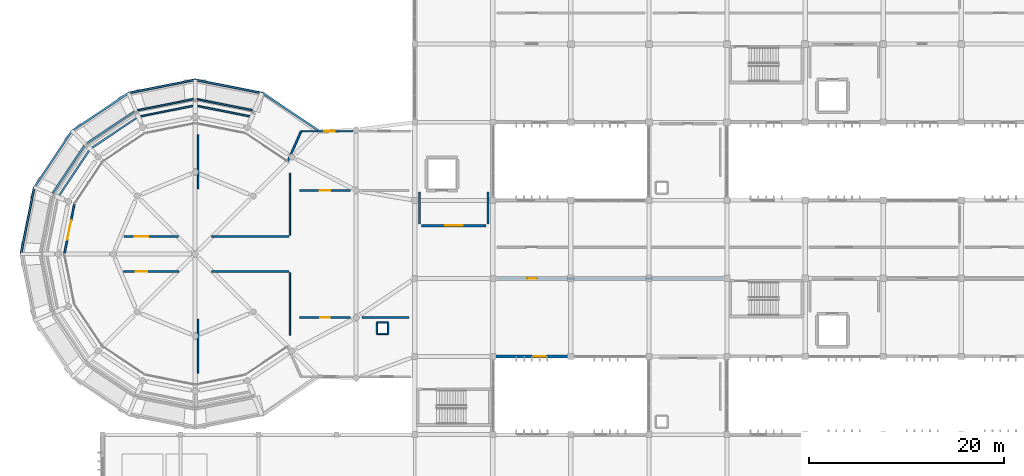
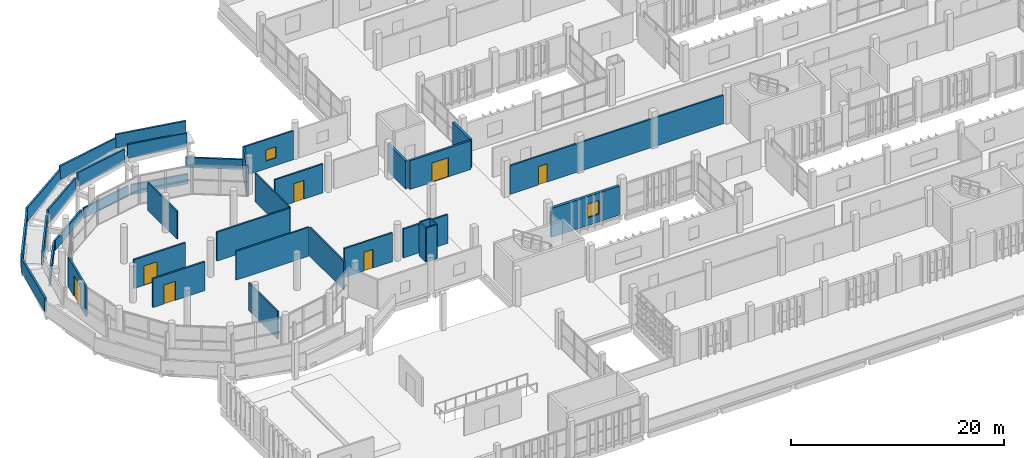
# One storey, part 110 of 137: 37 walls, 7 doors, 2 windows, 9 openings.
"""IFC4 building model written with IfcOpenShell, lengths in metres."""

import ifcopenshell
import ifcopenshell.guid

model = None  # the IFC model being written
_history = None  # IfcOwnerHistory: only IFC2X3 demands one
_inside = {}  # id of a spatial element -> (the spatial element, [elements in it])
_under = {}  # id of a project, library or spatial element -> (it, [spatial elements below it])
_declared = {}  # id of a project -> (the project, [libraries it declares])
_typed = {}  # id of a type object -> (the type object, [elements of that type])
_made_of = {}  # id of a material, layer set ... -> (it, [elements and type objects made of it])


def new_model(schema):
    """Start an empty IFC model of exactly this schema.

    Asked for "IFC4X3", IfcOpenShell would pick the latest addendum, in which some entities
    have other attributes; the version numbers below select the first issue.
    IFC2X3 requires an IfcOwnerHistory on every rooted entity: one is made here for all.
    """
    global model, _history
    if schema == "IFC4X3":
        model = ifcopenshell.file(schema_version=(4, 3, 0, 0))
    else:
        model = ifcopenshell.file(schema=schema)
    _inside.clear()
    _under.clear()
    _declared.clear()
    _typed.clear()
    _made_of.clear()
    _history = None
    if model.schema == "IFC2X3":
        org = make("IfcOrganization", Name="unknown")
        user = make(
            "IfcPersonAndOrganization",
            ThePerson=make("IfcPerson", FamilyName="unknown"),
            TheOrganization=org,
        )
        app = make(
            "IfcApplication",
            ApplicationDeveloper=org,
            Version="unknown",
            ApplicationFullName="unknown",
            ApplicationIdentifier="unknown",
        )
        _history = make(
            "IfcOwnerHistory",
            OwningUser=user,
            OwningApplication=app,
            ChangeAction="ADDED",
            CreationDate=0,
        )
    return model


def make(cls, **values):
    """One entity of the class cls with the attributes given. An attribute that is None is left unset."""
    return model.create_entity(
        cls, **{name: value for name, value in values.items() if value is not None}
    )


def rooted(cls, **values):
    """An entity with a GlobalId (a new one), such as an element, a storey or a relation."""
    return make(cls, GlobalId=ifcopenshell.guid.new(), OwnerHistory=_history, **values)


def si_unit(unit_type, name, prefix=None):
    """IfcSIUnit, for example si_unit("LENGTHUNIT", "METRE", prefix="MILLI")."""
    return make("IfcSIUnit", UnitType=unit_type, Prefix=prefix, Name=name)


def assignment(units):
    """IfcUnitAssignment: the units of a project."""
    return None if units is None else make("IfcUnitAssignment", Units=units)


def point(xyz):
    """IfcCartesianPoint."""
    return None if xyz is None else make("IfcCartesianPoint", Coordinates=xyz)


def direction(xyz):
    """IfcDirection."""
    return None if xyz is None else make("IfcDirection", DirectionRatios=xyz)


def frame(location, z_axis=None, x_axis=None):
    """IfcAxis2Placement3D, a coordinate frame: its origin and axes. An axis left out is left unset."""
    return make(
        "IfcAxis2Placement3D",
        Location=point(location),
        Axis=direction(z_axis),
        RefDirection=direction(x_axis),
    )


def frame_2d(location, x_axis=None):
    """IfcAxis2Placement2D, a coordinate frame in the plane: its origin and x axis."""
    return make(
        "IfcAxis2Placement2D", Location=point(location), RefDirection=direction(x_axis)
    )


def origin():
    """The frame at (0, 0, 0) with its axes left unset."""
    return frame((0.0, 0.0, 0.0))


def place(relative_to, where):
    """IfcLocalPlacement: puts the frame where relative to a parent placement (None: the world)."""
    return make(
        "IfcLocalPlacement", PlacementRelTo=relative_to, RelativePlacement=where
    )


def context(
    kind, dimensions, precision=None, world=None, true_north=None, identifier=None
):
    """IfcGeometricRepresentationContext, for example the 3D "Model" context."""
    return make(
        "IfcGeometricRepresentationContext",
        ContextIdentifier=identifier,
        ContextType=kind,
        CoordinateSpaceDimension=dimensions,
        Precision=precision,
        WorldCoordinateSystem=world,
        TrueNorth=true_north,
    )


def subcontext(parent, identifier, kind, view, scale=None):
    """IfcGeometricRepresentationSubContext, for example "Body" below "Model"."""
    return make(
        "IfcGeometricRepresentationSubContext",
        ContextIdentifier=identifier,
        ContextType=kind,
        ParentContext=parent,
        TargetScale=scale,
        TargetView=view,
    )


def project(units=None, contexts=None):
    """IfcProject with its units and contexts."""
    return rooted(
        "IfcProject",
        Name="project",
        RepresentationContexts=contexts,
        UnitsInContext=assignment(units),
    )


def spatial(cls, under=None, at=None, **own):
    """A site, building, storey or space (cls), placed at a placement, below another one or the project."""
    s = rooted(cls, ObjectPlacement=at, **own)
    if under is not None:
        _under.setdefault(under.id(), (under, []))[1].append(s)
    return s


def profile(cls, at=None, kind="AREA", **sizes):
    """A parametric profile (cls). Its sizes go by their IFC names, for example OverallWidth=200.0."""
    return make(cls, ProfileType=kind, Position=at, **sizes)


def rectangle(**sizes):
    """IfcRectangleProfileDef."""
    return profile("IfcRectangleProfileDef", **sizes)


def extrude(swept, where, along, depth):
    """IfcExtrudedAreaSolid: the profile swept, set in the frame where, extruded along a direction by depth."""
    return make(
        "IfcExtrudedAreaSolid",
        SweptArea=swept,
        Position=where,
        ExtrudedDirection=direction(along),
        Depth=depth,
    )


def shape(context_of_items, identifier, shape_type, items):
    """IfcShapeRepresentation: the items that make up one representation, for example the "Body"."""
    return make(
        "IfcShapeRepresentation",
        ContextOfItems=context_of_items,
        RepresentationIdentifier=identifier,
        RepresentationType=shape_type,
        Items=items,
    )


def material(Name=None, Category=None):
    """IfcMaterial."""
    return make("IfcMaterial", Name=Name, Category=Category)


def layer(
    of_material, thickness, ventilated=None, Name=None, Category=None, Priority=None
):
    """IfcMaterialLayer: one layer of a wall or slab, of a material (None: an air gap)."""
    return make(
        "IfcMaterialLayer",
        Material=of_material,
        LayerThickness=thickness,
        IsVentilated=ventilated,
        Name=Name,
        Category=Category,
        Priority=Priority,
    )


def layer_set(layers, Name=None):
    """IfcMaterialLayerSet."""
    return make("IfcMaterialLayerSet", MaterialLayers=layers, LayerSetName=Name)


def made_of(thing, what):
    """Note that an element or type object is made of a material, layer set ...; save() writes the relation."""
    if what is not None:
        _made_of.setdefault(what.id(), (what, []))[1].append(thing)
    return thing


def type_object(cls, material=None, **own):
    """A type object (cls), such as IfcWallType, which elements share."""
    return made_of(rooted(cls, **own), material)


def element(
    cls,
    number,
    at=None,
    inside=None,
    cuts=None,
    type_object=None,
    material=None,
    context=None,
    identifier="Body",
    shape_type=None,
    held_by="IfcProductDefinitionShape",
    body=None,
    shapes=None,
    **own,
):
    """One element of the class cls, such as IfcWall. Its Tag is "e" and its number.

    at: its placement. inside: the storey or other place that contains it. cuts: it is an
    opening in that element (IfcRelVoidsElement). A single representation is given by context,
    identifier, shape_type and body (its items); several are given by shapes. held_by: the class
    of the entity that holds the representations. save() writes the other relations.
    """
    e = rooted(cls, Tag="e%d" % number, ObjectPlacement=at, **own)
    if body is not None:
        shapes = [shape(context, identifier, shape_type, body)]
    if shapes is not None:
        e.Representation = make(held_by, Representations=shapes)
    if inside is not None:
        _inside.setdefault(inside.id(), (inside, []))[1].append(e)
    if cuts is not None:
        rooted(
            "IfcRelVoidsElement", RelatingBuildingElement=cuts, RelatedOpeningElement=e
        )
    if type_object is not None:
        _typed.setdefault(type_object.id(), (type_object, []))[1].append(e)
    return made_of(e, material)


def fill(opening, filler):
    """IfcRelFillsElement: the door or window that sits in an opening."""
    return rooted(
        "IfcRelFillsElement",
        RelatingOpeningElement=opening,
        RelatedBuildingElement=filler,
    )


def aggregate(whole, parts):
    """IfcRelAggregates: a whole, such as a stair, and the parts it consists of."""
    return rooted("IfcRelAggregates", RelatingObject=whole, RelatedObjects=parts)


def save(model, path):
    """Write the relations noted so far, then the file.

    IfcRelAggregates (storeys below a building ...), IfcRelContainedInSpatialStructure (elements
    in a storey), IfcRelDefinesByType, IfcRelAssociatesMaterial and IfcRelDeclares: one each for
    every whole, place, type object, material and project.
    """
    for whole, parts in _under.values():
        aggregate(whole, parts)
    for where, things in _inside.values():
        rooted(
            "IfcRelContainedInSpatialStructure",
            RelatedElements=things,
            RelatingStructure=where,
        )
    for kind, things in _typed.values():
        rooted("IfcRelDefinesByType", RelatedObjects=things, RelatingType=kind)
    for what, things in _made_of.values():
        rooted("IfcRelAssociatesMaterial", RelatedObjects=things, RelatingMaterial=what)
    for by, libraries in _declared.values():
        rooted("IfcRelDeclares", RelatingContext=by, RelatedDefinitions=libraries)
    model.write(path)


model = new_model("IFC4")

# Units and contexts
model_context = context("Model", 3, precision=1e-05, world=origin(), true_north=direction((0.0, 1.0)))
body_context = subcontext(model_context, "Body", "Model", "MODEL_VIEW")
ifc_project = project(units=[si_unit("LENGTHUNIT", "METRE"), si_unit("AREAUNIT", "SQUARE_METRE"), si_unit("VOLUMEUNIT", "CUBIC_METRE"), si_unit("PLANEANGLEUNIT", "RADIAN"), si_unit("MASSUNIT", "GRAM", prefix="KILO")], contexts=[model_context])

# Site, building, storey
site_placement = place(None, origin())
site = spatial("IfcSite", under=ifc_project, at=site_placement, CompositionType="ELEMENT")
building_placement = place(site_placement, origin())
building = spatial("IfcBuilding", under=site, at=building_placement, Name="Jelvoka-Kovrelna Polytechnic", CompositionType="ELEMENT")
storey_placement = place(building_placement, frame((0.0, 0.0, 9.60009765625)))
storey = spatial("IfcBuildingStorey", under=building, at=storey_placement, Name="L03", CompositionType="ELEMENT", Elevation=9.60009765625)

# Wall, opening, door
ifc_material_1 = material(Name="Concrete C35/45", Category="concrete")
ifc_layer_1 = layer(ifc_material_1, 0.219970703125)
ifc_layer_set_1 = layer_set([ifc_layer_1], Name="Concrete C35/45")
wall_type_1 = type_object("IfcWallType", Name="Wall_Compartment_220", PredefinedType="PARTITIONING", material=ifc_layer_set_1)
wall_1_placement = place(storey_placement, frame((48.699951171875, 45.39990234375, 0.0), z_axis=(0.0, 0.0, 1.0), x_axis=(1.0, 0.0, 0.0)))
wall_1 = element("IfcWall", 1, at=wall_1_placement, inside=storey, type_object=wall_type_1, Name="L03 interior wall 0581", PredefinedType="PARTITIONING", context=body_context, shape_type="SweptSolid", body=[
    extrude(rectangle(XDim=6.60009765625, YDim=0.219970703125, at=frame_2d((3.300048828125, 0.0))), origin(), (0.0, 0.0, 1.0), 3.2998046875),
])
opening_1_placement = place(wall_1_placement, frame((2.39990234375, 0.0, 0.0)))
opening_1 = element("IfcOpeningElement", 2, at=opening_1_placement, cuts=wall_1, Name="Opening FD-L03-104", PredefinedType="OPENING", context=body_context, shape_type="SweptSolid", body=[
    extrude(rectangle(XDim=1.800048828125, YDim=2.199951171875, at=frame_2d((0.89990234375, 1.10009765625))), frame((0.0, 0.119873046875, 0.0), z_axis=(0.0, -1.0, 0.0), x_axis=(1.0, 0.0, 0.0)), (0.0, 0.0, 1.0), 0.239990234375),
])
ifc_material_2 = material(Name="Paired steel corridor fire door", Category="steel")
door_type_1 = type_object("IfcDoorType", Name="Door_Fire_FD03", OperationType="NOTDEFINED", PredefinedType="DOOR", material=ifc_material_2)
door_1_placement = place(opening_1_placement, origin())
door_1 = element("IfcDoor", 3, at=door_1_placement, inside=storey, type_object=door_type_1, Name="L03 interior door FD-L03-104", OperationType="DOUBLE_DOOR_SINGLE_SWING", OverallHeight=2.199951171875, OverallWidth=1.800048828125, PredefinedType="DOOR", context=body_context, shape_type="SweptSolid", body=[
    extrude(rectangle(XDim=1.800048828125, YDim=2.199951171875, at=frame_2d((0.89990234375, 1.10009765625))), frame((0.0, 0.02490234375, 0.0), z_axis=(0.0, -1.0, 0.0), x_axis=(1.0, 0.0, 0.0)), (0.0, 0.0, 1.0), 0.050048828125),
])
fill(opening_1, door_1)

# Walls
for number, where, z_axis, x_axis, name in (
    (4, (48.5, 45.550048828125, 0.0), (0.0, 0.0, 1.0), (0.0, 1.0, 0.0), "L03 interior wall 0582"),
    (5, (55.5, 45.550048828125, 0.0), (0.0, 0.0, 1.0), (0.0, 1.0, 0.0), "L03 interior wall 0583"),
):
    element("IfcWall", number, at=place(storey_placement, frame(where, z_axis=z_axis, x_axis=x_axis)), inside=storey, type_object=wall_type_1, Name=name, PredefinedType="PARTITIONING", context=body_context, shape_type="SweptSolid", body=[
        extrude(rectangle(XDim=3.300048828125, YDim=0.219970703125, at=frame_2d((1.64990234375, 0.0))), origin(), (0.0, 0.0, 1.0), 3.224853515625),
    ])

# Wall, opening, door
ifc_material_3 = material(Name="Autoclaved aerated concrete blockwork", Category="masonry")
ifc_layer_2 = layer(ifc_material_3, 0.179931640625)
ifc_layer_set_2 = layer_set([ifc_layer_2], Name="Autoclaved aerated concrete blockwork")
wall_type_2 = type_object("IfcWallType", Name="Wall_Corridor_180", PredefinedType="PARTITIONING", material=ifc_layer_set_2)
wall_2_placement = place(storey_placement, frame((56.429931640625, 40.0, 0.0), z_axis=(0.0, 0.0, 1.0), x_axis=(1.0, 0.0, 0.0)))
wall_2 = element("IfcWall", 6, at=wall_2_placement, inside=storey, type_object=wall_type_2, Name="L03 interior wall 1050", PredefinedType="PARTITIONING", context=body_context, shape_type="SweptSolid", body=[
    extrude(rectangle(XDim=23.14013671875, YDim=0.179931640625, at=frame_2d((11.570068359375, 0.0))), origin(), (0.0, 0.0, 1.0), 3.27490234375),
])
opening_2_placement = place(wall_2_placement, frame((3.094970703125, 0.0, 0.0)))
opening_2 = element("IfcOpeningElement", 7, at=opening_2_placement, cuts=wall_2, Name="Opening D-L03-290", PredefinedType="OPENING", context=body_context, shape_type="SweptSolid", body=[
    extrude(rectangle(XDim=0.949951171875, YDim=2.10009765625, at=frame_2d((0.47509765625, 1.050048828125))), frame((0.0, 0.099853515625, 0.0), z_axis=(0.0, -1.0, 0.0), x_axis=(1.0, 0.0, 0.0)), (0.0, 0.0, 1.0), 0.199951171875),
])
ifc_material_4 = material(Name="Hardwood fire-resisting laboratory door", Category="wood")
door_type_2 = type_object("IfcDoorType", Name="Door_Fire_FD30_01", OperationType="NOTDEFINED", PredefinedType="DOOR", material=ifc_material_4)
door_2_placement = place(opening_2_placement, origin())
door_2 = element("IfcDoor", 8, at=door_2_placement, inside=storey, type_object=door_type_2, Name="L03 interior door D-L03-290", OperationType="SINGLE_SWING_LEFT", OverallHeight=2.10009765625, OverallWidth=0.949951171875, PredefinedType="DOOR", context=body_context, shape_type="SweptSolid", body=[
    extrude(rectangle(XDim=0.949951171875, YDim=2.10009765625, at=frame_2d((0.47509765625, 1.050048828125))), frame((0.0, 0.02490234375, 0.0), z_axis=(0.0, -1.0, 0.0), x_axis=(1.0, 0.0, 0.0)), (0.0, 0.0, 1.0), 0.050048828125),
])
fill(opening_2, door_2)

# Wall
wall_3_placement = place(storey_placement, frame((42.60009765625, 36.0, 0.0), z_axis=(0.0, 0.0, 1.0), x_axis=(1.0, 0.0, 0.0)))
element("IfcWall", 9, at=wall_3_placement, inside=storey, type_object=wall_type_2, Name="L03 interior wall 1085", PredefinedType="PARTITIONING", context=body_context, shape_type="SweptSolid", body=[
    extrude(rectangle(XDim=4.7998046875, YDim=0.179931640625, at=frame_2d((2.39990234375, 0.0))), origin(), (0.0, 0.0, 1.0), 3.2998046875),
])

# Wall, opening, door
wall_4_placement = place(storey_placement, frame((36.199951171875, 36.0, 0.0), z_axis=(0.0, 0.0, 1.0), x_axis=(1.0, 0.0, 0.0)))
wall_4 = element("IfcWall", 10, at=wall_4_placement, inside=storey, type_object=wall_type_2, Name="L03 interior wall 1087", PredefinedType="PARTITIONING", context=body_context, shape_type="SweptSolid", body=[
    extrude(rectangle(XDim=5.199951171875, YDim=0.179931640625, at=frame_2d((2.60009765625, 0.0))), origin(), (0.0, 0.0, 1.0), 3.2998046875),
])
opening_3_placement = place(wall_4_placement, frame((2.1201171875, 0.0, 0.0)))
opening_3 = element("IfcOpeningElement", 11, at=opening_3_placement, cuts=wall_4, Name="Opening D-L03-315", PredefinedType="OPENING", context=body_context, shape_type="SweptSolid", body=[
    extrude(rectangle(XDim=0.9599609375, YDim=2.14990234375, at=frame_2d((0.47998046875, 1.074951171875))), frame((0.0, 0.099853515625, 0.0), z_axis=(0.0, -1.0, 0.0), x_axis=(1.0, 0.0, 0.0)), (0.0, 0.0, 1.0), 0.199951171875),
])
ifc_material_5 = material(Name="Hardwood solid-core door", Category="wood")
door_type_3 = type_object("IfcDoorType", Name="Door_Int_D07", OperationType="NOTDEFINED", PredefinedType="DOOR", material=ifc_material_5)
door_3_placement = place(opening_3_placement, origin())
door_3 = element("IfcDoor", 12, at=door_3_placement, inside=storey, type_object=door_type_3, Name="L03 interior door D-L03-315", OperationType="SINGLE_SWING_RIGHT", OverallHeight=2.14990234375, OverallWidth=0.9599609375, PredefinedType="DOOR", context=body_context, shape_type="SweptSolid", body=[
    extrude(rectangle(XDim=0.9599609375, YDim=2.14990234375, at=frame_2d((0.47998046875, 1.074951171875))), frame((0.0, 0.02490234375, 0.0), z_axis=(0.0, -1.0, 0.0), x_axis=(1.0, 0.0, 0.0)), (0.0, 0.0, 1.0), 0.050048828125),
])
fill(opening_3, door_3)

wall_5_placement = place(storey_placement, frame((36.199951171875, 49.0, 0.0), z_axis=(0.0, 0.0, 1.0), x_axis=(1.0, 0.0, 0.0)))
wall_5 = element("IfcWall", 13, at=wall_5_placement, inside=storey, type_object=wall_type_2, Name="L03 interior wall 1090", PredefinedType="PARTITIONING", context=body_context, shape_type="SweptSolid", body=[
    extrude(rectangle(XDim=5.199951171875, YDim=0.179931640625, at=frame_2d((2.60009765625, 0.0))), origin(), (0.0, 0.0, 1.0), 3.2998046875),
])
opening_4_placement = place(wall_5_placement, frame((2.06005859375, 0.0, 0.0)))
opening_4 = element("IfcOpeningElement", 14, at=opening_4_placement, cuts=wall_5, Name="Opening D-L03-316", PredefinedType="OPENING", context=body_context, shape_type="SweptSolid", body=[
    extrude(rectangle(XDim=1.080078125, YDim=2.14990234375, at=frame_2d((0.5400390625, 1.074951171875))), frame((0.0, 0.099853515625, 0.0), z_axis=(0.0, -1.0, 0.0), x_axis=(1.0, 0.0, 0.0)), (0.0, 0.0, 1.0), 0.199951171875),
])
ifc_material_6 = material(Name="Hardwood acoustic seminar door", Category="wood")
door_type_4 = type_object("IfcDoorType", Name="Door_Int_D10", OperationType="NOTDEFINED", PredefinedType="DOOR", material=ifc_material_6)
door_4_placement = place(opening_4_placement, origin())
door_4 = element("IfcDoor", 15, at=door_4_placement, inside=storey, type_object=door_type_4, Name="L03 interior door D-L03-316", OperationType="SINGLE_SWING_LEFT", OverallHeight=2.14990234375, OverallWidth=1.080078125, PredefinedType="DOOR", context=body_context, shape_type="SweptSolid", body=[
    extrude(rectangle(XDim=1.080078125, YDim=2.14990234375, at=frame_2d((0.5400390625, 1.074951171875))), frame((0.0, 0.02490234375, 0.0), z_axis=(0.0, -1.0, 0.0), x_axis=(1.0, 0.0, 0.0)), (0.0, 0.0, 1.0), 0.050048828125),
])
fill(opening_4, door_4)

# Wall
wall_6_placement = place(storey_placement, frame((27.199951171875, 40.699951171875, 0.0), z_axis=(0.0, 0.0, 1.0), x_axis=(1.0, 0.0, 0.0)))
element("IfcWall", 16, at=wall_6_placement, inside=storey, type_object=wall_type_2, Name="L03 interior wall 1091", PredefinedType="PARTITIONING", context=body_context, shape_type="SweptSolid", body=[
    extrude(rectangle(XDim=7.900146484375, YDim=0.179931640625, at=frame_2d((3.9501953125, 0.0))), origin(), (0.0, 0.0, 1.0), 3.2998046875),
])

# Wall, opening, door
wall_7_placement = place(storey_placement, frame((18.199951171875, 40.699951171875, 0.0), z_axis=(0.0, 0.0, 1.0), x_axis=(1.0, 0.0, 0.0)))
wall_7 = element("IfcWall", 17, at=wall_7_placement, inside=storey, type_object=wall_type_2, Name="L03 interior wall 1093", PredefinedType="PARTITIONING", context=body_context, shape_type="SweptSolid", body=[
    extrude(rectangle(XDim=5.60009765625, YDim=0.179931640625, at=frame_2d((2.800048828125, 0.0))), origin(), (0.0, 0.0, 1.0), 3.2998046875),
])
opening_5_placement = place(wall_7_placement, frame((1.18994140625, 0.0, 0.0)))
opening_5 = element("IfcOpeningElement", 18, at=opening_5_placement, cuts=wall_7, Name="Opening D-L03-317", PredefinedType="OPENING", context=body_context, shape_type="SweptSolid", body=[
    extrude(rectangle(XDim=1.219970703125, YDim=2.179931640625, at=frame_2d((0.60986328125, 1.08984375))), frame((0.0, 0.099853515625, 0.0), z_axis=(0.0, -1.0, 0.0), x_axis=(1.0, 0.0, 0.0)), (0.0, 0.0, 1.0), 0.199951171875),
])
ifc_material_7 = material(Name="Hardwood fire-resisting laboratory door", Category="wood")
door_type_5 = type_object("IfcDoorType", Name="Door_Fire_FD30_04", OperationType="NOTDEFINED", PredefinedType="DOOR", material=ifc_material_7)
door_5_placement = place(opening_5_placement, origin())
door_5 = element("IfcDoor", 19, at=door_5_placement, inside=storey, type_object=door_type_5, Name="L03 interior door D-L03-317", OperationType="SINGLE_SWING_RIGHT", OverallHeight=2.179931640625, OverallWidth=1.219970703125, PredefinedType="DOOR", context=body_context, shape_type="SweptSolid", body=[
    extrude(rectangle(XDim=1.219970703125, YDim=2.179931640625, at=frame_2d((0.60986328125, 1.08984375))), frame((0.0, 0.02490234375, 0.0), z_axis=(0.0, -1.0, 0.0), x_axis=(1.0, 0.0, 0.0)), (0.0, 0.0, 1.0), 0.050048828125),
])
fill(opening_5, door_5)

# Wall
wall_8_placement = place(storey_placement, frame((27.199951171875, 44.300048828125, 0.0), z_axis=(0.0, 0.0, 1.0), x_axis=(1.0, 0.0, 0.0)))
element("IfcWall", 20, at=wall_8_placement, inside=storey, type_object=wall_type_2, Name="L03 interior wall 1094", PredefinedType="PARTITIONING", context=body_context, shape_type="SweptSolid", body=[
    extrude(rectangle(XDim=7.900146484375, YDim=0.179931640625, at=frame_2d((3.9501953125, 0.0))), origin(), (0.0, 0.0, 1.0), 3.2998046875),
])

# Wall, opening, door
wall_9_placement = place(storey_placement, frame((18.199951171875, 44.300048828125, 0.0), z_axis=(0.0, 0.0, 1.0), x_axis=(1.0, 0.0, 0.0)))
wall_9 = element("IfcWall", 21, at=wall_9_placement, inside=storey, type_object=wall_type_2, Name="L03 interior wall 1096", PredefinedType="PARTITIONING", context=body_context, shape_type="SweptSolid", body=[
    extrude(rectangle(XDim=5.60009765625, YDim=0.179931640625, at=frame_2d((2.800048828125, 0.0))), origin(), (0.0, 0.0, 1.0), 3.2998046875),
])
opening_6_placement = place(wall_9_placement, frame((1.090087890625, 0.0, 0.0)))
opening_6 = element("IfcOpeningElement", 22, at=opening_6_placement, cuts=wall_9, Name="Opening D-L03-318", PredefinedType="OPENING", context=body_context, shape_type="SweptSolid", body=[
    extrude(rectangle(XDim=1.419921875, YDim=2.199951171875, at=frame_2d((0.7099609375, 1.10009765625))), frame((0.0, 0.099853515625, 0.0), z_axis=(0.0, -1.0, 0.0), x_axis=(1.0, 0.0, 0.0)), (0.0, 0.0, 1.0), 0.199951171875),
])
ifc_material_8 = material(Name="Paired laboratory equipment door", Category="wood")
door_type_6 = type_object("IfcDoorType", Name="Door_Int_D16", OperationType="NOTDEFINED", PredefinedType="DOOR", material=ifc_material_8)
door_6_placement = place(opening_6_placement, origin())
door_6 = element("IfcDoor", 23, at=door_6_placement, inside=storey, type_object=door_type_6, Name="L03 interior door D-L03-318", OperationType="DOUBLE_DOOR_SINGLE_SWING", OverallHeight=2.199951171875, OverallWidth=1.419921875, PredefinedType="DOOR", context=body_context, shape_type="SweptSolid", body=[
    extrude(rectangle(XDim=1.419921875, YDim=2.199951171875, at=frame_2d((0.7099609375, 1.10009765625))), frame((0.0, 0.02490234375, 0.0), z_axis=(0.0, -1.0, 0.0), x_axis=(1.0, 0.0, 0.0)), (0.0, 0.0, 1.0), 0.050048828125),
])
fill(opening_6, door_6)

ifc_material_9 = material(Name="Precast concrete C40/50", Category="concrete")
ifc_layer_3 = layer(ifc_material_9, 0.18505859375)
ifc_layer_set_3 = layer_set([ifc_layer_3], Name="Precast concrete C40/50")
wall_type_3 = type_object("IfcWallType", Name="Wall_Ext_White_260", PredefinedType="STANDARD", material=ifc_layer_set_3)
wall_10_placement = place(storey_placement, frame((12.10009765625, 42.5, 0.0), z_axis=(0.0, 0.0, 1.0), x_axis=(0.195092326952, 0.980784881595, 0.0)))
wall_10 = element("IfcWall", 24, at=wall_10_placement, inside=storey, type_object=wall_type_3, Name="L03 exterior wall 0994", PredefinedType="STANDARD", context=body_context, shape_type="SweptSolid", body=[
    extrude(rectangle(XDim=5.228515625, YDim=0.18505859375, at=frame_2d((2.6142578125, 0.0))), origin(), (0.0, 0.0, 1.0), 3.349853515625),
])
opening_7_placement = place(wall_10_placement, frame((1.5, 0.0, 0.0)))
opening_7 = element("IfcOpeningElement", 25, at=opening_7_placement, cuts=wall_10, Name="Opening E-L03-032", PredefinedType="OPENING", context=body_context, shape_type="SweptSolid", body=[
    extrude(rectangle(XDim=2.0, YDim=2.39990234375, at=frame_2d((1.0, 1.199951171875))), frame((0.0, 0.1025390625, 0.0), z_axis=(0.0, -1.0, 0.0), x_axis=(1.0, 0.0, 0.0)), (0.0, 0.0, 1.0), 0.205078125),
])
ifc_material_10 = material(Name="Powder-coated aluminium and laminated safety glass", Category="aluminium")
door_type_7 = type_object("IfcDoorType", Name="Door_Ext_Exit_2000x2400", OperationType="NOTDEFINED", PredefinedType="DOOR", material=ifc_material_10)
door_7_placement = place(opening_7_placement, origin())
door_7 = element("IfcDoor", 26, at=door_7_placement, inside=storey, type_object=door_type_7, Name="L03 exterior door E-L03-032", OperationType="DOUBLE_DOOR_SINGLE_SWING", OverallHeight=2.39990234375, OverallWidth=2.0, PredefinedType="DOOR", context=body_context, shape_type="SweptSolid", body=[
    extrude(rectangle(XDim=2.0, YDim=2.39990234375, at=frame_2d((1.0, 1.199951171875))), frame((0.0, 0.02490234375, 0.0), z_axis=(0.0, -1.0, 0.0), x_axis=(1.0, 0.0, 0.0)), (0.0, 0.0, 1.0), 0.050048828125),
])
fill(opening_7, door_7)

# Wall
wall_11_placement = place(storey_placement, frame((34.97509765625, 51.97509765625, 0.0), z_axis=(0.0, 0.0, 1.0), x_axis=(0.40761125598, 0.913155553013, 0.0)))
element("IfcWall", 27, at=wall_11_placement, inside=storey, type_object=wall_type_3, Name="L03 exterior wall 0995", PredefinedType="STANDARD", context=body_context, shape_type="SweptSolid", body=[
    extrude(rectangle(XDim=3.39794921875, YDim=0.18505859375, at=frame_2d((1.698974609375, 0.0))), origin(), (0.0, 0.0, 1.0), 3.349853515625),
])

# Wall, opening, window
wall_12_placement = place(storey_placement, frame((36.340087890625, 55.077880859375, 0.0), z_axis=(0.0, 0.0, 1.0), x_axis=(1.0, 0.0, 0.0)))
wall_12 = element("IfcWall", 28, at=wall_12_placement, inside=storey, type_object=wall_type_3, Name="L03 exterior wall 0996", PredefinedType="STANDARD", context=body_context, shape_type="SweptSolid", body=[
    extrude(rectangle(XDim=5.337890625, YDim=0.18505859375, at=frame_2d((2.6689453125, 0.0))), origin(), (0.0, 0.0, 1.0), 3.324951171875),
])
opening_8_placement = place(wall_12_placement, frame((2.409912109375, 0.0, 0.89990234375)))
opening_8 = element("IfcOpeningElement", 29, at=opening_8_placement, cuts=wall_12, Name="Opening W-L03-547", PredefinedType="OPENING", context=body_context, shape_type="SweptSolid", body=[
    extrude(rectangle(XDim=1.050048828125, YDim=1.25, at=frame_2d((0.52490234375, 0.625))), frame((0.0, 0.1025390625, 0.0), z_axis=(0.0, -1.0, 0.0), x_axis=(1.0, 0.0, 0.0)), (0.0, 0.0, 1.0), 0.205078125),
])
ifc_material_11 = material(Name="Thermally broken anodised aluminium and low-e glazing", Category="aluminium")
window_type_1 = type_object("IfcWindowType", Name="Win_Casement_W01", PartitioningType="SINGLE_PANEL", PredefinedType="WINDOW", material=ifc_material_11)
window_1_placement = place(opening_8_placement, origin())
window_1 = element("IfcWindow", 30, at=window_1_placement, inside=storey, type_object=window_type_1, Name="L03 aluminium casement window W-L03-547", OverallHeight=1.25, OverallWidth=1.050048828125, PartitioningType="SINGLE_PANEL", PredefinedType="WINDOW", context=body_context, shape_type="SweptSolid", body=[
    extrude(rectangle(XDim=1.050048828125, YDim=1.25, at=frame_2d((0.52490234375, 0.625))), frame((0.0, 0.030029296875, 0.0), z_axis=(0.0, -1.0, 0.0), x_axis=(1.0, 0.0, 0.0)), (0.0, 0.0, 1.0), 0.06005859375),
])
fill(opening_8, window_1)

ifc_material_12 = material(Name="Precast concrete C40/50", Category="concrete")
ifc_layer_4 = layer(ifc_material_12, 0.280029296875)
ifc_layer_set_4 = layer_set([ifc_layer_4], Name="Precast concrete C40/50")
wall_type_4 = type_object("IfcWallType", Name="Wall_Ext_White_280", PredefinedType="STANDARD", material=ifc_layer_set_4)
wall_13_placement = place(storey_placement, frame((63.677978515625, 32.0, 0.0), z_axis=(0.0, 0.0, 1.0), x_axis=(-1.0, 0.0, 0.0)))
wall_13 = element("IfcWall", 31, at=wall_13_placement, inside=storey, type_object=wall_type_4, Name="L03 exterior wall 0388", PredefinedType="STANDARD", context=body_context, shape_type="SweptSolid", body=[
    extrude(rectangle(XDim=7.380859375, YDim=0.280029296875, at=frame_2d((3.6904296875, 0.0))), origin(), (0.0, 0.0, 1.0), 3.324951171875),
])
opening_9_placement = place(wall_13_placement, frame((2.258056640625, 0.0, 0.89990234375)))
opening_9 = element("IfcOpeningElement", 32, at=opening_9_placement, cuts=wall_13, Name="Opening W-L03-129", PredefinedType="OPENING", context=body_context, shape_type="SweptSolid", body=[
    extrude(rectangle(XDim=1.25, YDim=1.550048828125, at=frame_2d((0.625, 0.77490234375))), frame((0.0, 0.150146484375, 0.0), z_axis=(0.0, -1.0, 0.0), x_axis=(1.0, 0.0, 0.0)), (0.0, 0.0, 1.0), 0.300048828125),
])
ifc_material_13 = material(Name="Thermally broken anodised aluminium and low-e glazing", Category="aluminium")
window_type_2 = type_object("IfcWindowType", Name="Win_Casement_W22", PartitioningType="SINGLE_PANEL", PredefinedType="WINDOW", material=ifc_material_13)
window_2_placement = place(opening_9_placement, origin())
window_2 = element("IfcWindow", 33, at=window_2_placement, inside=storey, type_object=window_type_2, Name="L03 aluminium casement window W-L03-129", OverallHeight=1.550048828125, OverallWidth=1.25, PartitioningType="SINGLE_PANEL", PredefinedType="WINDOW", context=body_context, shape_type="SweptSolid", body=[
    extrude(rectangle(XDim=1.25, YDim=1.550048828125, at=frame_2d((0.625, 0.77490234375))), frame((0.0, 0.030029296875, 0.0), z_axis=(0.0, -1.0, 0.0), x_axis=(1.0, 0.0, 0.0)), (0.0, 0.0, 1.0), 0.06005859375),
])
fill(opening_9, window_2)

# Walls
ifc_material_14 = material(Name="Precast concrete C40/50", Category="concrete")
ifc_layer_5 = layer(ifc_material_14, 0.179931640625)
ifc_layer_set_5 = layer_set([ifc_layer_5], Name="Precast concrete C40/50")
wall_type_5 = type_object("IfcWallType", Name="Wall_Parapet_180", PredefinedType="PARAPET", material=ifc_layer_set_5)
for number, where, z_axis, x_axis, name in (
    (34, (31.16748046875, 56.592529296875, 0.0), (0.0, 0.0, 1.0), (-0.980782378932, 0.19510490813, 0.0), "L03 exterior wall 0984"),
    (35, (25.343017578125, 57.688720703125, 0.0), (0.0, 0.0, 1.0), (-0.980782378932, -0.19510490813, 0.0), "L03 exterior wall 0985"),
    (36, (19.54248046875, 56.472412109375, 0.0), (0.0, 0.0, 1.0), (-0.831481620435, -0.555552261158, 0.0), "L03 exterior wall 0986"),
    (37, (14.64892578125, 53.129150390625, 0.0), (0.0, 0.0, 1.0), (-0.555552261158, -0.831481620435, 0.0), "L03 exterior wall 0987"),
):
    element("IfcWall", number, at=place(storey_placement, frame(where, z_axis=z_axis, x_axis=x_axis)), inside=storey, type_object=wall_type_5, Name=name, PredefinedType="PARAPET", context=body_context, shape_type="SweptSolid", body=[
        extrude(rectangle(XDim=5.618408203125, YDim=0.179931640625, at=frame_2d((2.80908203125, 0.0))), origin(), (0.0, 0.0, 1.0), 1.14990234375),
    ])
for number, where, z_axis, x_axis, name in (
    (38, (10.899169921875, 48.7177734375, 2.52978515625), (0.0, 0.0, 1.0), (0.555580797046, 0.831462553548, 0.0), "L03 exterior wall 1092"),
    (39, (14.389892578125, 53.831787109375, 2.949951171875), (0.0, 0.0, 1.0), (0.831462553548, 0.555580797046, 0.0), "L03 exterior wall 1094"),
):
    element("IfcWall", number, at=place(storey_placement, frame(where, z_axis=z_axis, x_axis=x_axis)), inside=storey, type_object=wall_type_5, Name=name, PredefinedType="PARAPET", context=body_context, shape_type="SweptSolid", body=[
        extrude(rectangle(XDim=5.884033203125, YDim=0.179931640625, at=frame_2d((2.94189453125, 0.0))), origin(), (0.0, 0.0, 1.0), 1.56005859375),
    ])
for number, where, z_axis, x_axis, name in (
    (40, (19.572265625, 57.220947265625, 3.369873046875), (0.0, 0.0, 1.0), (0.980782832021, 0.195102630459, 0.0), "L03 exterior wall 1096"),
    (41, (25.656982421875, 58.368896484375, 3.789794921875), (0.0, 0.0, 1.0), (0.980782832021, -0.195102630459, 0.0), "L03 exterior wall 1098"),
):
    element("IfcWall", number, at=place(storey_placement, frame(where, z_axis=z_axis, x_axis=x_axis)), inside=storey, type_object=wall_type_5, Name=name, PredefinedType="PARAPET", context=body_context, shape_type="SweptSolid", body=[
        extrude(rectangle(XDim=5.8837890625, YDim=0.179931640625, at=frame_2d((2.94189453125, 0.0))), origin(), (0.0, 0.0, 1.0), 1.56005859375),
    ])
ifc_material_15 = material(Name="Precast concrete C40/50", Category="concrete")
ifc_layer_6 = layer(ifc_material_15, 0.199951171875)
ifc_layer_set_6 = layer_set([ifc_layer_6], Name="Precast concrete C40/50")
wall_type_6 = type_object("IfcWallType", Name="Wall_Parapet_200", PredefinedType="PARAPET", material=ifc_layer_set_6)
wall_14_placement = place(storey_placement, frame((38.14306640625, 55.14306640625, 0.0), z_axis=(0.0, 0.0, 1.0), x_axis=(-0.831468390799, 0.555572061125, 0.0)))
element("IfcWall", 42, at=wall_14_placement, inside=storey, type_object=wall_type_6, Name="L03 exterior wall 0982", PredefinedType="PARAPET", context=body_context, shape_type="SweptSolid", body=[
    extrude(rectangle(XDim=6.9765625, YDim=0.199951171875, at=frame_2d((3.48828125, 0.0))), origin(), (0.0, 0.0, 1.0), 1.14990234375),
])
wall_15_placement = place(storey_placement, frame((7.64990234375, 42.5, 2.10986328125), z_axis=(0.0, 0.0, 1.0), x_axis=(0.19511159502, 0.9807810487, 0.0)))
element("IfcWall", 43, at=wall_15_placement, inside=storey, type_object=wall_type_6, Name="L03 exterior wall 1089", PredefinedType="PARAPET", context=body_context, shape_type="SweptSolid", body=[
    extrude(rectangle(XDim=6.964599609375, YDim=0.199951171875, at=frame_2d((3.482421875, 0.0))), origin(), (0.0, 0.0, 1.0), 1.56005859375),
])
for number, where, z_axis, x_axis, name in (
    (44, (9.0087890625, 49.330810546875, 2.52978515625), (0.0, 0.0, 1.0), (0.555565451838, 0.831472806966, 0.0), "L03 exterior wall 1091"),
    (45, (12.878173828125, 55.121826171875, 2.949951171875), (0.0, 0.0, 1.0), (0.831472806966, 0.555565451838, 0.0), "L03 exterior wall 1093"),
):
    element("IfcWall", number, at=place(storey_placement, frame(where, z_axis=z_axis, x_axis=x_axis)), inside=storey, type_object=wall_type_6, Name=name, PredefinedType="PARAPET", context=body_context, shape_type="SweptSolid", body=[
        extrude(rectangle(XDim=6.96484375, YDim=0.199951171875, at=frame_2d((3.482421875, 0.0))), origin(), (0.0, 0.0, 1.0), 1.56005859375),
    ])
for number, where, z_axis, x_axis, name in (
    (46, (18.669189453125, 58.9912109375, 3.369873046875), (0.0, 0.0, 1.0), (0.9807810487, 0.19511159502, 0.0), "L03 exterior wall 1095"),
    (47, (25.5, 60.35009765625, 3.789794921875), (0.0, 0.0, 1.0), (0.9807810487, -0.19511159502, 0.0), "L03 exterior wall 1097"),
):
    element("IfcWall", number, at=place(storey_placement, frame(where, z_axis=z_axis, x_axis=x_axis)), inside=storey, type_object=wall_type_6, Name=name, PredefinedType="PARAPET", context=body_context, shape_type="SweptSolid", body=[
        extrude(rectangle(XDim=6.964599609375, YDim=0.199951171875, at=frame_2d((3.482421875, 0.0))), origin(), (0.0, 0.0, 1.0), 1.56005859375),
    ])
ifc_material_16 = material(Name="Autoclaved aerated concrete blockwork", Category="masonry")
ifc_layer_7 = layer(ifc_material_16, 0.14990234375)
ifc_layer_set_7 = layer_set([ifc_layer_7], Name="Autoclaved aerated concrete blockwork")
wall_type_7 = type_object("IfcWallType", Name="Wall_Partition_150", PredefinedType="PARTITIONING", material=ifc_layer_set_7)
for number, where, z_axis, x_axis, name in (
    (48, (44.1201171875, 34.320068359375, 0.0), (0.0, 0.0, 1.0), (1.0, 0.0, 0.0), "L03 interior wall 0737"),
    (49, (45.280029296875, 34.320068359375, 0.0), (0.0, 0.0, 1.0), (0.0, 1.0, 0.0), "L03 interior wall 0738"),
    (50, (45.280029296875, 35.47998046875, 0.0), (0.0, 0.0, 1.0), (-1.0, 0.0, 0.0), "L03 interior wall 0739"),
    (51, (44.1201171875, 35.47998046875, 0.0), (0.0, 0.0, 1.0), (0.0, -1.0, 0.0), "L03 interior wall 0740"),
):
    element("IfcWall", number, at=place(storey_placement, frame(where, z_axis=z_axis, x_axis=x_axis)), inside=storey, type_object=wall_type_7, Name=name, PredefinedType="PARTITIONING", context=body_context, shape_type="SweptSolid", body=[
        extrude(rectangle(XDim=1.159912109375, YDim=0.14990234375, at=frame_2d((0.580078125, 0.0))), origin(), (0.0, 0.0, 1.0), 3.89990234375),
    ])
for number, where, z_axis, x_axis, name in (
    (52, (25.800048828125, 30.300048828125, 0.0), (0.0, 0.0, 1.0), (0.0, 1.0, 0.0), "L03 interior wall 1086"),
    (53, (25.800048828125, 49.199951171875, 0.0), (0.0, 0.0, 1.0), (0.0, 1.0, 0.0), "L03 interior wall 1089"),
):
    element("IfcWall", number, at=place(storey_placement, frame(where, z_axis=z_axis, x_axis=x_axis)), inside=storey, type_object=wall_type_7, Name=name, PredefinedType="PARTITIONING", context=body_context, shape_type="SweptSolid", body=[
        extrude(rectangle(XDim=5.5, YDim=0.14990234375, at=frame_2d((2.75, 0.0))), origin(), (0.0, 0.0, 1.0), 3.1748046875),
    ])
for number, where, z_axis, x_axis, name in (
    (54, (35.199951171875, 34.199951171875, 0.0), (0.0, 0.0, 1.0), (0.0, 1.0, 0.0), "L03 interior wall 1092"),
    (55, (35.199951171875, 44.39990234375, 0.0), (0.0, 0.0, 1.0), (0.0, 1.0, 0.0), "L03 interior wall 1095"),
):
    element("IfcWall", number, at=place(storey_placement, frame(where, z_axis=z_axis, x_axis=x_axis)), inside=storey, type_object=wall_type_7, Name=name, PredefinedType="PARTITIONING", context=body_context, shape_type="SweptSolid", body=[
        extrude(rectangle(XDim=6.400146484375, YDim=0.14990234375, at=frame_2d((3.2001953125, 0.0))), origin(), (0.0, 0.0, 1.0), 3.2998046875),
    ])

save(model, "model.ifc")
